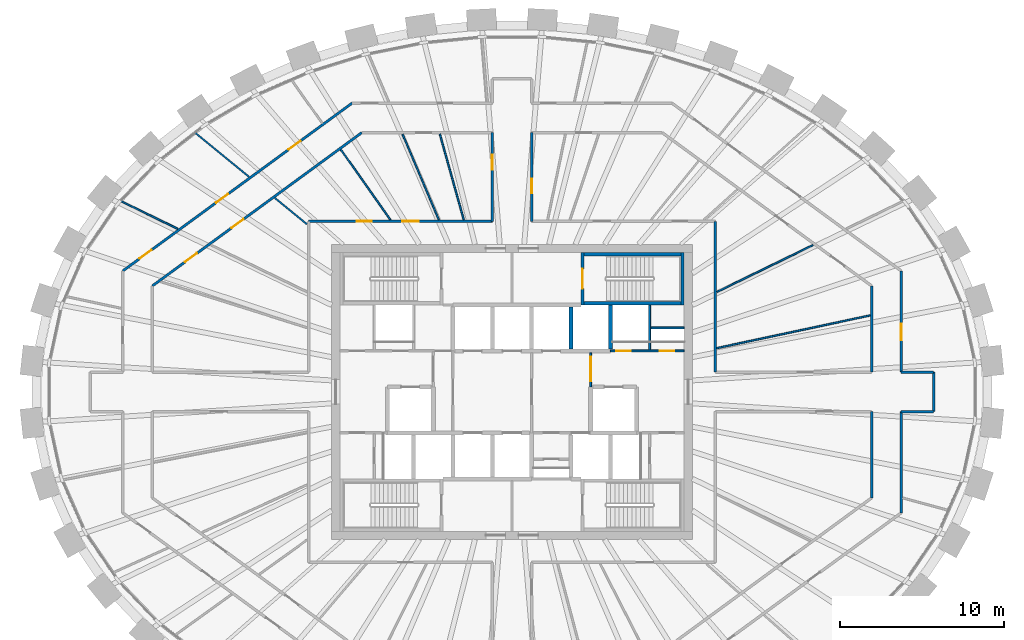
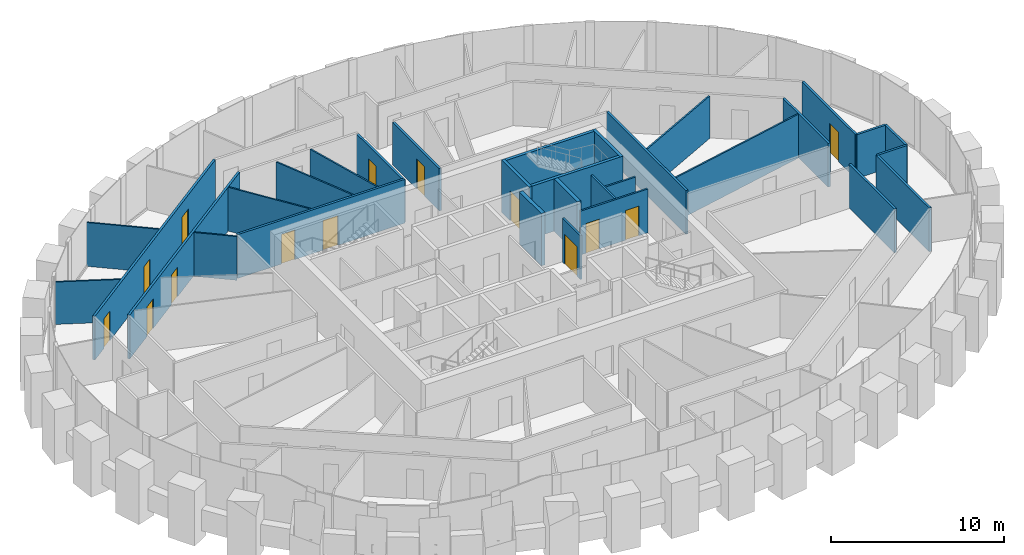
# One storey, part 9 of 11: 31 walls, 14 doors, 14 openings.
"""IFC4 building model written with IfcOpenShell, lengths in metres."""

from ifc_helpers import new_model, si_unit, direction, frame, frame_2d, origin, place, context, subcontext, project, spatial, rectangle, extrude, source, transform, mapped, material, layer, layer_set, type_object, element, fill, save


model = new_model("IFC4")

# Units and contexts
model_context = context("Model", 3, precision=1e-05, world=origin(), true_north=direction((0.0, 1.0)))
body_context = subcontext(model_context, "Body", "Model", "MODEL_VIEW")
ifc_project = project(units=[si_unit("LENGTHUNIT", "METRE"), si_unit("AREAUNIT", "SQUARE_METRE"), si_unit("VOLUMEUNIT", "CUBIC_METRE"), si_unit("PLANEANGLEUNIT", "RADIAN"), si_unit("MASSUNIT", "GRAM", prefix="KILO")], contexts=[model_context])

# Site, building, storey
site_placement = place(None, origin())
site = spatial("IfcSite", under=ifc_project, at=site_placement, CompositionType="ELEMENT")
building_placement = place(site_placement, origin())
building = spatial("IfcBuilding", under=site, at=building_placement, Name="Embergate Tower", CompositionType="ELEMENT")
storey_placement = place(building_placement, frame((0.0, 0.0, 324.699951171875)))
storey = spatial("IfcBuildingStorey", under=building, at=storey_placement, Name="L76", CompositionType="ELEMENT", Elevation=324.699951171875)

# Walls
ifc_material_1 = material(Name="Concrete C50", Category="concrete")
ifc_layer_1 = layer(ifc_material_1, 0.25)
ifc_layer_set_1 = layer_set([ifc_layer_1], Name="Concrete C50")
wall_type_1 = type_object("IfcWallType", Name="Hoistway wall reinforced concrete 250", PredefinedType="SHEAR", material=ifc_layer_set_1)
shared_shape_1 = source(origin(), body_context, "Body", "SweptSolid", [
    extrude(rectangle(XDim=2.675048828125, YDim=0.25, at=frame_2d((1.33740234375, 0.0))), origin(), (0.0, 0.0, 1.0), 3.699951171875),
])
wall_1_placement = place(storey_placement, frame((6.0, 2.625, 0.0), z_axis=(0.0, 0.0, 1.0), x_axis=(0.0, 1.0, 0.0)))
element("IfcWall", 1, at=wall_1_placement, inside=storey, type_object=wall_type_1, Name="HW-1 wall", PredefinedType="SHEAR", context=body_context, shape_type="MappedRepresentation", body=[
    mapped(shared_shape_1, transform((0.0, 0.0, 0.0))),
])
ifc_layer_2 = layer(ifc_material_1, 0.199951171875)
ifc_layer_set_2 = layer_set([ifc_layer_2], Name="Concrete C50")
wall_type_2 = type_object("IfcWallType", Name="Stair enclosure wall reinforced concrete 250", PredefinedType="SHEAR", material=ifc_layer_set_2)
shared_shape_2 = source(origin(), body_context, "Body", "SweptSolid", [
    extrude(rectangle(XDim=6.300048828125, YDim=0.199951171875, at=frame_2d((3.14990234375, 0.0))), origin(), (0.0, 0.0, 1.0), 3.699951171875),
])
wall_2_placement = place(storey_placement, frame((10.5, 5.39990234375, 0.0), z_axis=(0.0, 0.0, 1.0), x_axis=(-1.0, 0.0, 0.0)))
element("IfcWall", 2, at=wall_2_placement, inside=storey, type_object=wall_type_2, Name="SE-1 wall", PredefinedType="SHEAR", context=body_context, shape_type="MappedRepresentation", body=[
    mapped(shared_shape_2, transform((0.0, 0.0, 0.0))),
])
shared_shape_3 = source(origin(), body_context, "Body", "SweptSolid", [
    extrude(rectangle(XDim=2.550048828125, YDim=0.25, at=frame_2d((1.27490234375, 0.0))), origin(), (0.0, 0.0, 1.0), 3.699951171875),
])
wall_3_placement = place(storey_placement, frame((3.60009765625, 2.625, 0.0), z_axis=(0.0, 0.0, 1.0), x_axis=(0.0, 1.0, 0.0)))
element("IfcWall", 3, at=wall_3_placement, inside=storey, type_object=wall_type_1, Name="HW-1 wall", PredefinedType="SHEAR", context=body_context, shape_type="MappedRepresentation", body=[
    mapped(shared_shape_3, transform((0.0, 0.0, 0.0))),
])

# Wall, opening, door
ifc_material_2 = material(Name="Core partition blockwork 120")
ifc_layer_3 = layer(ifc_material_2, 0.1201171875)
ifc_layer_set_3 = layer_set([ifc_layer_3], Name="Core partition blockwork 120")
wall_type_3 = type_object("IfcWallType", Name="Core partition blockwork 120", PredefinedType="PARTITIONING", material=ifc_layer_set_3)
shared_shape_4 = source(origin(), body_context, "Body", "SweptSolid", [
    extrude(rectangle(XDim=2.074951171875, YDim=0.1201171875, at=frame_2d((1.03759765625, 0.0))), origin(), (0.0, 0.0, 1.0), 3.10009765625),
])
wall_4_placement = place(storey_placement, frame((4.800048828125, 0.300048828125, 0.0), z_axis=(0.0, 0.0, 1.0), x_axis=(0.0, 1.0, 0.0)))
wall_4 = element("IfcWall", 4, at=wall_4_placement, inside=storey, type_object=wall_type_3, Name="IP-3 wall", PredefinedType="PARTITIONING", context=body_context, shape_type="MappedRepresentation", body=[
    mapped(shared_shape_4, transform((0.0, 0.0, 0.0))),
])
shared_shape_5 = source(origin(), body_context, "Body", "SweptSolid", [
    extrude(rectangle(XDim=1.5, YDim=2.10009765625, at=frame_2d((0.75, 1.050048828125))), frame((0.0, 0.070068359375, 0.0), z_axis=(0.0, -1.0, 0.0), x_axis=(1.0, 0.0, 0.0)), (0.0, 0.0, 1.0), 0.14013671875),
])
opening_1_placement = place(wall_4_placement, frame((0.35009765625, 0.0, 0.0)))
opening_1 = element("IfcOpeningElement", 5, at=opening_1_placement, cuts=wall_4, Name="Opening IF-3", PredefinedType="OPENING", context=body_context, shape_type="MappedRepresentation", body=[
    mapped(shared_shape_5, transform((0.0, 0.0, 0.0))),
])
ifc_material_3 = material(Name="Lobby fire door pair 1500")
door_type_1 = type_object("IfcDoorType", Name="Lobby fire door pair 1500", OperationType="DOUBLE_DOOR_SINGLE_SWING", PredefinedType="DOOR", material=ifc_material_3)
shared_shape_6 = source(origin(), body_context, "Body", "SweptSolid", [
    extrude(rectangle(XDim=1.5, YDim=2.10009765625, at=frame_2d((0.75, 1.050048828125))), frame((0.0, 0.02490234375, 0.0), z_axis=(0.0, -1.0, 0.0), x_axis=(1.0, 0.0, 0.0)), (0.0, 0.0, 1.0), 0.050048828125),
])
door_1_placement = place(opening_1_placement, origin())
door_1 = element("IfcDoor", 6, at=door_1_placement, inside=storey, type_object=door_type_1, Name="IF-3 door", OperationType="DOUBLE_DOOR_SINGLE_SWING", OverallHeight=2.10009765625, OverallWidth=1.5, PredefinedType="DOOR", context=body_context, shape_type="MappedRepresentation", body=[
    mapped(shared_shape_6, transform((0.0, 0.0, 0.0))),
])
fill(opening_1, door_1)

shared_shape_7 = source(origin(), body_context, "Body", "SweptSolid", [
    extrude(rectangle(XDim=3.199951171875, YDim=0.199951171875, at=frame_2d((1.60009765625, 0.0))), origin(), (0.0, 0.0, 1.0), 3.699951171875),
])
wall_5_placement = place(storey_placement, frame((4.300048828125, 8.5, 0.0), z_axis=(0.0, 0.0, 1.0), x_axis=(0.0, -1.0, 0.0)))
wall_5 = element("IfcWall", 7, at=wall_5_placement, inside=storey, type_object=wall_type_2, Name="SE-1 wall", PredefinedType="SHEAR", context=body_context, shape_type="MappedRepresentation", body=[
    mapped(shared_shape_7, transform((0.0, 0.0, 0.0))),
])
shared_shape_8 = source(origin(), body_context, "Body", "SweptSolid", [
    extrude(rectangle(XDim=1.199951171875, YDim=2.10009765625, at=frame_2d((0.60009765625, 1.050048828125))), frame((0.0, 0.10986328125, 0.0), z_axis=(0.0, -1.0, 0.0), x_axis=(1.0, 0.0, 0.0)), (0.0, 0.0, 1.0), 0.219970703125),
])
opening_2_placement = place(wall_5_placement, frame((1.0, 0.0, 0.0)))
opening_2 = element("IfcOpeningElement", 8, at=opening_2_placement, cuts=wall_5, Name="Opening IF-2", PredefinedType="OPENING", context=body_context, shape_type="MappedRepresentation", body=[
    mapped(shared_shape_8, transform((0.0, 0.0, 0.0))),
])
ifc_material_4 = material(Name="Stair enclosure door 1200")
door_type_2 = type_object("IfcDoorType", Name="Stair enclosure door 1200", OperationType="SINGLE_SWING_LEFT", PredefinedType="DOOR", material=ifc_material_4)
shared_shape_9 = source(origin(), body_context, "Body", "SweptSolid", [
    extrude(rectangle(XDim=1.199951171875, YDim=2.10009765625, at=frame_2d((0.60009765625, 1.050048828125))), frame((0.0, 0.02490234375, 0.0), z_axis=(0.0, -1.0, 0.0), x_axis=(1.0, 0.0, 0.0)), (0.0, 0.0, 1.0), 0.050048828125),
])
door_2_placement = place(opening_2_placement, origin())
door_2 = element("IfcDoor", 9, at=door_2_placement, inside=storey, type_object=door_type_2, Name="IF-2 door", OperationType="SINGLE_SWING_LEFT", OverallHeight=2.10009765625, OverallWidth=1.199951171875, PredefinedType="DOOR", context=body_context, shape_type="MappedRepresentation", body=[
    mapped(shared_shape_9, transform((0.0, 0.0, 0.0))),
])
fill(opening_2, door_2)

# Walls
wall_6_placement = place(storey_placement, frame((10.39990234375, 5.300048828125, 0.0), z_axis=(0.0, 0.0, 1.0), x_axis=(0.0, 1.0, 0.0)))
element("IfcWall", 10, at=wall_6_placement, inside=storey, type_object=wall_type_2, Name="SE-1 wall", PredefinedType="SHEAR", context=body_context, shape_type="MappedRepresentation", body=[
    mapped(shared_shape_7, transform((0.0, 0.0, 0.0))),
])
shared_shape_10 = source(origin(), body_context, "Body", "SweptSolid", [
    extrude(rectangle(XDim=6.298095703125, YDim=0.199951171875, at=frame_2d((3.14892578125, 0.0))), origin(), (0.0, 0.0, 1.0), 3.699951171875),
])
wall_7_placement = place(storey_placement, frame((10.5, 8.39990234375, 0.0), z_axis=(0.0, 0.0, 1.0), x_axis=(-1.0, 0.0, 0.0)))
element("IfcWall", 11, at=wall_7_placement, inside=storey, type_object=wall_type_2, Name="SE-1 wall", PredefinedType="SHEAR", context=body_context, shape_type="MappedRepresentation", body=[
    mapped(shared_shape_10, transform((0.0, 0.0, 0.0))),
])
ifc_material_5 = material(Name="Corridor wall dry-lined 150")
ifc_layer_4 = layer(ifc_material_5, 0.14990234375)
ifc_layer_set_4 = layer_set([ifc_layer_4], Name="Corridor wall dry-lined 150")
wall_type_4 = type_object("IfcWallType", Name="Corridor wall dry-lined 150", PredefinedType="PARTITIONING", material=ifc_layer_set_4)
shared_shape_11 = source(origin(), body_context, "Body", "SweptSolid", [
    extrude(rectangle(XDim=9.199951171875, YDim=0.14990234375, at=frame_2d((4.60009765625, 0.0))), origin(), (0.0, 0.0, 1.0), 3.10009765625),
])
wall_8_placement = place(storey_placement, frame((12.39990234375, 10.39990234375, 0.0), z_axis=(0.0, 0.0, 1.0), x_axis=(0.0, -1.0, 0.0)))
element("IfcWall", 12, at=wall_8_placement, inside=storey, type_object=wall_type_4, Name="IP-2 wall", PredefinedType="PARTITIONING", context=body_context, shape_type="MappedRepresentation", body=[
    mapped(shared_shape_11, transform((0.0, 0.0, 0.0))),
])

# Wall, openings, doors
ifc_material_6 = material(Name="Corridor wall dry-lined 150 wet")
ifc_layer_5 = layer(ifc_material_6, 0.14990234375)
ifc_layer_set_5 = layer_set([ifc_layer_5], Name="Corridor wall dry-lined 150 wet")
wall_type_5 = type_object("IfcWallType", Name="Corridor wall dry-lined 150 wet", PredefinedType="PLUMBINGWALL", material=ifc_layer_set_5)
shared_shape_12 = source(origin(), body_context, "Body", "SweptSolid", [
    extrude(rectangle(XDim=11.199951171875, YDim=0.14990234375, at=frame_2d((5.60009765625, 0.0))), origin(), (0.0, 0.0, 1.0), 3.10009765625),
])
wall_9_placement = place(storey_placement, frame((-12.39990234375, 10.39990234375, 0.0), z_axis=(0.0, 0.0, 1.0), x_axis=(1.0, 0.0, 0.0)))
wall_9 = element("IfcWall", 13, at=wall_9_placement, inside=storey, type_object=wall_type_5, Name="IP-2 wall", PredefinedType="PLUMBINGWALL", context=body_context, shape_type="MappedRepresentation", body=[
    mapped(shared_shape_12, transform((0.0, 0.0, 0.0))),
])
shared_shape_13 = source(origin(), body_context, "Body", "SweptSolid", [
    extrude(rectangle(XDim=1.0, YDim=2.10009765625, at=frame_2d((0.5, 1.050048828125))), frame((0.0, 0.0849609375, 0.0), z_axis=(0.0, -1.0, 0.0), x_axis=(1.0, 0.0, 0.0)), (0.0, 0.0, 1.0), 0.169921875),
])
opening_3_placement = place(wall_9_placement, frame((5.7099609375, 0.0, 0.0)))
opening_3 = element("IfcOpeningElement", 14, at=opening_3_placement, cuts=wall_9, Name="Opening ID-2", PredefinedType="OPENING", context=body_context, shape_type="MappedRepresentation", body=[
    mapped(shared_shape_13, transform((0.0, 0.0, 0.0))),
])
shared_shape_14 = source(origin(), body_context, "Body", "SweptSolid", [
    extrude(rectangle(XDim=0.89990234375, YDim=2.10009765625, at=frame_2d((0.449951171875, 1.050048828125))), frame((0.0, 0.0849609375, 0.0), z_axis=(0.0, -1.0, 0.0), x_axis=(1.0, 0.0, 0.0)), (0.0, 0.0, 1.0), 0.169921875),
])
opening_4_placement = place(wall_9_placement, frame((2.931884765625, 0.0, 0.0)))
opening_4 = element("IfcOpeningElement", 15, at=opening_4_placement, cuts=wall_9, Name="Opening IF-1c", PredefinedType="OPENING", context=body_context, shape_type="MappedRepresentation", body=[
    mapped(shared_shape_14, transform((0.0, 0.0, 0.0))),
])
ifc_material_7 = material(Name="Escape fire door 900")
door_type_3 = type_object("IfcDoorType", Name="Escape fire door 900", OperationType="SINGLE_SWING_LEFT", PredefinedType="DOOR", material=ifc_material_7)
shared_shape_15 = source(origin(), body_context, "Body", "SweptSolid", [
    extrude(rectangle(XDim=0.89990234375, YDim=2.10009765625, at=frame_2d((0.449951171875, 1.050048828125))), frame((0.0, 0.02490234375, 0.0), z_axis=(0.0, -1.0, 0.0), x_axis=(1.0, 0.0, 0.0)), (0.0, 0.0, 1.0), 0.050048828125),
])
door_3_placement = place(opening_4_placement, origin())
door_3 = element("IfcDoor", 16, at=door_3_placement, inside=storey, type_object=door_type_3, Name="IF-1 door", OperationType="SINGLE_SWING_RIGHT", OverallHeight=2.10009765625, OverallWidth=0.89990234375, PredefinedType="DOOR", context=body_context, shape_type="MappedRepresentation", body=[
    mapped(shared_shape_15, transform((0.0, 0.0, 0.0))),
])
fill(opening_4, door_3)
ifc_material_8 = material(Name="Interior door 1000")
door_type_4 = type_object("IfcDoorType", Name="Interior door 1000", OperationType="SINGLE_SWING_LEFT", PredefinedType="DOOR", material=ifc_material_8)
shared_shape_16 = source(origin(), body_context, "Body", "SweptSolid", [
    extrude(rectangle(XDim=1.0, YDim=2.10009765625, at=frame_2d((0.5, 1.050048828125))), frame((0.0, 0.02490234375, 0.0), z_axis=(0.0, -1.0, 0.0), x_axis=(1.0, 0.0, 0.0)), (0.0, 0.0, 1.0), 0.050048828125),
])
door_4_placement = place(opening_3_placement, origin())
door_4 = element("IfcDoor", 17, at=door_4_placement, inside=storey, type_object=door_type_4, Name="ID-2 door", OperationType="SINGLE_SWING_LEFT", OverallHeight=2.10009765625, OverallWidth=1.0, PredefinedType="DOOR", context=body_context, shape_type="MappedRepresentation", body=[
    mapped(shared_shape_16, transform((0.0, 0.0, 0.0))),
])
fill(opening_3, door_4)

# Wall
shared_shape_17 = source(origin(), body_context, "Body", "SweptSolid", [
    extrude(rectangle(XDim=2.39990234375, YDim=0.14990234375, at=frame_2d((1.199951171875, 0.0))), origin(), (0.0, 0.0, 1.0), 3.10009765625),
])
wall_10_placement = place(storey_placement, frame((25.714111328125, 1.199951171875, 0.0), z_axis=(0.0, 0.0, 1.0), x_axis=(0.0, -1.0, 0.0)))
element("IfcWall", 18, at=wall_10_placement, inside=storey, type_object=wall_type_4, Name="IP-2 wall", PredefinedType="PARTITIONING", context=body_context, shape_type="MappedRepresentation", body=[
    mapped(shared_shape_17, transform((0.0, 0.0, 0.0))),
])

# Wall, openings, doors
shared_shape_18 = source(origin(), body_context, "Body", "SweptSolid", [
    extrude(rectangle(XDim=4.5, YDim=0.1201171875, at=frame_2d((2.25, 0.0))), origin(), (0.0, 0.0, 1.0), 3.10009765625),
])
wall_11_placement = place(storey_placement, frame((6.0, 2.5, 0.0), z_axis=(0.0, 0.0, 1.0), x_axis=(1.0, 0.0, 0.0)))
wall_11 = element("IfcWall", 19, at=wall_11_placement, inside=storey, type_object=wall_type_3, Name="IP-3 wall", PredefinedType="PARTITIONING", context=body_context, shape_type="MappedRepresentation", body=[
    mapped(shared_shape_18, transform((0.0, 0.0, 0.0))),
])
shared_shape_19 = source(origin(), body_context, "Body", "SweptSolid", [
    extrude(rectangle(XDim=0.89990234375, YDim=2.10009765625, at=frame_2d((0.449951171875, 1.050048828125))), frame((0.0, 0.070068359375, 0.0), z_axis=(0.0, -1.0, 0.0), x_axis=(1.0, 0.0, 0.0)), (0.0, 0.0, 1.0), 0.14013671875),
])
opening_5_placement = place(wall_11_placement, frame((0.35009765625, 0.0, 0.0)))
opening_5 = element("IfcOpeningElement", 20, at=opening_5_placement, cuts=wall_11, Name="Opening ID-1", PredefinedType="OPENING", context=body_context, shape_type="MappedRepresentation", body=[
    mapped(shared_shape_19, transform((0.0, 0.0, 0.0))),
])
opening_6_placement = place(wall_11_placement, frame((3.0, 0.0, 0.0)))
opening_6 = element("IfcOpeningElement", 21, at=opening_6_placement, cuts=wall_11, Name="Opening ID-1", PredefinedType="OPENING", context=body_context, shape_type="MappedRepresentation", body=[
    mapped(shared_shape_19, transform((0.0, 0.0, 0.0))),
])
ifc_material_9 = material(Name="Interior door 900")
door_type_5 = type_object("IfcDoorType", Name="Interior door 900", OperationType="SINGLE_SWING_LEFT", PredefinedType="DOOR", material=ifc_material_9)
door_5_placement = place(opening_5_placement, origin())
door_5 = element("IfcDoor", 22, at=door_5_placement, inside=storey, type_object=door_type_5, Name="ID-1 door", OperationType="SINGLE_SWING_RIGHT", OverallHeight=2.10009765625, OverallWidth=0.89990234375, PredefinedType="DOOR", context=body_context, shape_type="MappedRepresentation", body=[
    mapped(shared_shape_15, transform((0.0, 0.0, 0.0))),
])
fill(opening_5, door_5)
door_6_placement = place(opening_6_placement, origin())
door_6 = element("IfcDoor", 23, at=door_6_placement, inside=storey, type_object=door_type_5, Name="ID-1 door", OperationType="SINGLE_SWING_LEFT", OverallHeight=2.10009765625, OverallWidth=0.89990234375, PredefinedType="DOOR", context=body_context, shape_type="MappedRepresentation", body=[
    mapped(shared_shape_15, transform((0.0, 0.0, 0.0))),
])
fill(opening_6, door_6)

# Walls
shared_shape_20 = source(origin(), body_context, "Body", "SweptSolid", [
    extrude(rectangle(XDim=2.738037109375, YDim=0.1201171875, at=frame_2d((1.369140625, 0.0))), origin(), (0.0, 0.0, 1.0), 3.10009765625),
])
wall_12_placement = place(storey_placement, frame((8.39990234375, 2.56005859375, 0.0), z_axis=(0.0, 0.0, 1.0), x_axis=(0.0, 1.0, 0.0)))
element("IfcWall", 24, at=wall_12_placement, inside=storey, type_object=wall_type_3, Name="IP-3 wall", PredefinedType="PARTITIONING", context=body_context, shape_type="MappedRepresentation", body=[
    mapped(shared_shape_20, transform((0.0, 0.0, 0.0))),
])
shared_shape_21 = source(origin(), body_context, "Body", "SweptSolid", [
    extrude(rectangle(XDim=2.0380859375, YDim=0.1201171875, at=frame_2d((1.01904296875, 0.0))), origin(), (0.0, 0.0, 1.0), 3.10009765625),
])
wall_13_placement = place(storey_placement, frame((10.5, 3.89990234375, 0.0), z_axis=(0.0, 0.0, 1.0), x_axis=(-1.0, 0.0, 0.0)))
element("IfcWall", 25, at=wall_13_placement, inside=storey, type_object=wall_type_3, Name="IP-3 wall", PredefinedType="PARTITIONING", context=body_context, shape_type="MappedRepresentation", body=[
    mapped(shared_shape_21, transform((0.0, 0.0, 0.0))),
])

# Wall, openings, doors
shared_shape_22 = source(origin(), body_context, "Body", "SweptSolid", [
    extrude(rectangle(XDim=17.3251953125, YDim=0.14990234375, at=frame_2d((8.66259765625, 0.0))), origin(), (0.0, 0.0, 1.0), 3.10009765625),
])
wall_14_placement = place(storey_placement, frame((-9.751953125, 17.611083984375, 0.0), z_axis=(0.0, 0.0, 1.0), x_axis=(-0.806969554432, -0.590593039427, 0.0)))
wall_14 = element("IfcWall", 26, at=wall_14_placement, inside=storey, type_object=wall_type_4, Name="IP-2 wall", PredefinedType="PARTITIONING", context=body_context, shape_type="MappedRepresentation", body=[
    mapped(shared_shape_22, transform((0.0, 0.0, 0.0))),
])
opening_7_placement = place(wall_14_placement, frame((3.8984375, 0.0, 0.0)))
opening_7 = element("IfcOpeningElement", 27, at=opening_7_placement, cuts=wall_14, Name="Opening IF-1c", PredefinedType="OPENING", context=body_context, shape_type="MappedRepresentation", body=[
    mapped(shared_shape_14, transform((0.0, 0.0, 0.0))),
])
opening_8_placement = place(wall_14_placement, frame((9.39306640625, 0.0, 0.0)))
opening_8 = element("IfcOpeningElement", 28, at=opening_8_placement, cuts=wall_14, Name="Opening IF-1c", PredefinedType="OPENING", context=body_context, shape_type="MappedRepresentation", body=[
    mapped(shared_shape_14, transform((0.0, 0.0, 0.0))),
])
opening_9_placement = place(wall_14_placement, frame((15.1572265625, 0.0, 0.0)))
opening_9 = element("IfcOpeningElement", 29, at=opening_9_placement, cuts=wall_14, Name="Opening IF-1c", PredefinedType="OPENING", context=body_context, shape_type="MappedRepresentation", body=[
    mapped(shared_shape_14, transform((0.0, 0.0, 0.0))),
])
door_7_placement = place(opening_7_placement, origin())
door_7 = element("IfcDoor", 30, at=door_7_placement, inside=storey, type_object=door_type_3, Name="IF-1 door", OperationType="SINGLE_SWING_LEFT", OverallHeight=2.10009765625, OverallWidth=0.89990234375, PredefinedType="DOOR", context=body_context, shape_type="MappedRepresentation", body=[
    mapped(shared_shape_15, transform((0.0, 0.0, 0.0))),
])
fill(opening_7, door_7)
door_8_placement = place(opening_8_placement, origin())
door_8 = element("IfcDoor", 31, at=door_8_placement, inside=storey, type_object=door_type_3, Name="IF-1 door", OperationType="SINGLE_SWING_LEFT", OverallHeight=2.10009765625, OverallWidth=0.89990234375, PredefinedType="DOOR", context=body_context, shape_type="MappedRepresentation", body=[
    mapped(shared_shape_15, transform((0.0, 0.0, 0.0))),
])
fill(opening_8, door_8)
door_9_placement = place(opening_9_placement, origin())
door_9 = element("IfcDoor", 32, at=door_9_placement, inside=storey, type_object=door_type_3, Name="IF-1 door", OperationType="SINGLE_SWING_LEFT", OverallHeight=2.10009765625, OverallWidth=0.89990234375, PredefinedType="DOOR", context=body_context, shape_type="MappedRepresentation", body=[
    mapped(shared_shape_15, transform((0.0, 0.0, 0.0))),
])
fill(opening_9, door_9)

# Wall
shared_shape_23 = source(origin(), body_context, "Body", "SweptSolid", [
    extrude(rectangle(XDim=6.178955078125, YDim=0.14990234375, at=frame_2d((3.08935546875, 0.0))), origin(), (0.0, 0.0, 1.0), 3.10009765625),
])
wall_15_placement = place(storey_placement, frame((23.73291015625, -7.37890625, 0.0), z_axis=(0.0, 0.0, 1.0), x_axis=(0.0, 1.0, 0.0)))
element("IfcWall", 33, at=wall_15_placement, inside=storey, type_object=wall_type_4, Name="IP-2 wall", PredefinedType="PARTITIONING", context=body_context, shape_type="MappedRepresentation", body=[
    mapped(shared_shape_23, transform((0.0, 0.0, 0.0))),
])

# Wall, opening, door
wall_16_placement = place(storey_placement, frame((23.73291015625, 7.37890625, 0.0), z_axis=(0.0, 0.0, 1.0), x_axis=(0.0, -1.0, 0.0)))
wall_16 = element("IfcWall", 34, at=wall_16_placement, inside=storey, type_object=wall_type_4, Name="IP-2 wall", PredefinedType="PARTITIONING", context=body_context, shape_type="MappedRepresentation", body=[
    mapped(shared_shape_23, transform((0.0, 0.0, 0.0))),
])
opening_10_placement = place(wall_16_placement, frame((3.230712890625, 0.0, 0.0)))
opening_10 = element("IfcOpeningElement", 35, at=opening_10_placement, cuts=wall_16, Name="Opening ID-2", PredefinedType="OPENING", context=body_context, shape_type="MappedRepresentation", body=[
    mapped(shared_shape_13, transform((0.0, 0.0, 0.0))),
])
door_10_placement = place(opening_10_placement, origin())
door_10 = element("IfcDoor", 36, at=door_10_placement, inside=storey, type_object=door_type_4, Name="ID-2 door", OperationType="SINGLE_SWING_LEFT", OverallHeight=2.10009765625, OverallWidth=1.0, PredefinedType="DOOR", context=body_context, shape_type="MappedRepresentation", body=[
    mapped(shared_shape_16, transform((0.0, 0.0, 0.0))),
])
fill(opening_10, door_10)

# Walls
shared_shape_24 = source(origin(), body_context, "Body", "SweptSolid", [
    extrude(rectangle(XDim=5.26513671875, YDim=0.14990234375, at=frame_2d((2.632568359375, 0.0))), origin(), (0.0, 0.0, 1.0), 3.10009765625),
])
for number, where, z_axis, x_axis, name in (
    (37, (21.93310546875, -6.465087890625, 0.0), (0.0, 0.0, 1.0), (0.0, 1.0, 0.0), "IP-2 wall"),
    (38, (21.93310546875, 1.199951171875, 0.0), (0.0, 0.0, 1.0), (0.0, 1.0, 0.0), "IP-2 wall"),
):
    element("IfcWall", number, at=place(storey_placement, frame(where, z_axis=z_axis, x_axis=x_axis)), inside=storey, type_object=wall_type_4, Name=name, PredefinedType="PARTITIONING", context=body_context, shape_type="MappedRepresentation", body=[
        mapped(shared_shape_24, transform((0.0, 0.0, 0.0))),
    ])

# Wall, openings, doors
shared_shape_25 = source(origin(), body_context, "Body", "SweptSolid", [
    extrude(rectangle(XDim=15.82470703125, YDim=0.14990234375, at=frame_2d((7.912353515625, 0.0))), origin(), (0.0, 0.0, 1.0), 3.10009765625),
])
wall_17_placement = place(storey_placement, frame((-21.93310546875, 6.465087890625, 0.0), z_axis=(0.0, 0.0, 1.0), x_axis=(0.80696917181, 0.590593562231, 0.0)))
wall_17 = element("IfcWall", 39, at=wall_17_placement, inside=storey, type_object=wall_type_4, Name="IP-2 wall", PredefinedType="PARTITIONING", context=body_context, shape_type="MappedRepresentation", body=[
    mapped(shared_shape_25, transform((0.0, 0.0, 0.0))),
])
opening_11_placement = place(wall_17_placement, frame((5.983642578125, 0.0, 0.0)))
opening_11 = element("IfcOpeningElement", 40, at=opening_11_placement, cuts=wall_17, Name="Opening IF-1c", PredefinedType="OPENING", context=body_context, shape_type="MappedRepresentation", body=[
    mapped(shared_shape_14, transform((0.0, 0.0, 0.0))),
])
opening_12_placement = place(wall_17_placement, frame((2.4794921875, 0.0, 0.0)))
opening_12 = element("IfcOpeningElement", 41, at=opening_12_placement, cuts=wall_17, Name="Opening IF-1c", PredefinedType="OPENING", context=body_context, shape_type="MappedRepresentation", body=[
    mapped(shared_shape_14, transform((0.0, 0.0, 0.0))),
])
door_11_placement = place(opening_11_placement, origin())
door_11 = element("IfcDoor", 42, at=door_11_placement, inside=storey, type_object=door_type_3, Name="IF-1 door", OperationType="SINGLE_SWING_RIGHT", OverallHeight=2.10009765625, OverallWidth=0.89990234375, PredefinedType="DOOR", context=body_context, shape_type="MappedRepresentation", body=[
    mapped(shared_shape_15, transform((0.0, 0.0, 0.0))),
])
fill(opening_11, door_11)
door_12_placement = place(opening_12_placement, origin())
door_12 = element("IfcDoor", 43, at=door_12_placement, inside=storey, type_object=door_type_3, Name="IF-1 door", OperationType="SINGLE_SWING_LEFT", OverallHeight=2.10009765625, OverallWidth=0.89990234375, PredefinedType="DOOR", context=body_context, shape_type="MappedRepresentation", body=[
    mapped(shared_shape_15, transform((0.0, 0.0, 0.0))),
])
fill(opening_12, door_12)

# Wall, opening, door
shared_shape_26 = source(origin(), body_context, "Body", "SweptSolid", [
    extrude(rectangle(XDim=5.4111328125, YDim=0.14990234375, at=frame_2d((2.70556640625, 0.0))), origin(), (0.0, 0.0, 1.0), 3.0),
])
wall_18_placement = place(storey_placement, frame((1.199951171875, 15.81103515625, 0.0), z_axis=(0.0, 0.0, 1.0), x_axis=(0.0, -1.0, 0.0)))
wall_18 = element("IfcWall", 44, at=wall_18_placement, inside=storey, type_object=wall_type_5, Name="IP-2 wall", PredefinedType="PLUMBINGWALL", context=body_context, shape_type="MappedRepresentation", body=[
    mapped(shared_shape_26, transform((0.0, 0.0, 0.0))),
])
opening_13_placement = place(wall_18_placement, frame((2.802978515625, 0.0, 0.0)))
opening_13 = element("IfcOpeningElement", 45, at=opening_13_placement, cuts=wall_18, Name="Opening IF-1c", PredefinedType="OPENING", context=body_context, shape_type="MappedRepresentation", body=[
    mapped(shared_shape_14, transform((0.0, 0.0, 0.0))),
])
door_13_placement = place(opening_13_placement, origin())
door_13 = element("IfcDoor", 46, at=door_13_placement, inside=storey, type_object=door_type_3, Name="IF-1 door", OperationType="SINGLE_SWING_RIGHT", OverallHeight=2.10009765625, OverallWidth=0.89990234375, PredefinedType="DOOR", context=body_context, shape_type="MappedRepresentation", body=[
    mapped(shared_shape_15, transform((0.0, 0.0, 0.0))),
])
fill(opening_13, door_13)

wall_19_placement = place(storey_placement, frame((-1.199951171875, 10.39990234375, 0.0), z_axis=(0.0, 0.0, 1.0), x_axis=(0.0, 1.0, 0.0)))
wall_19 = element("IfcWall", 47, at=wall_19_placement, inside=storey, type_object=wall_type_5, Name="IP-2 wall", PredefinedType="PLUMBINGWALL", context=body_context, shape_type="MappedRepresentation", body=[
    mapped(shared_shape_26, transform((0.0, 0.0, 0.0))),
])
opening_14_placement = place(wall_19_placement, frame((3.155029296875, 0.0, 0.0)))
opening_14 = element("IfcOpeningElement", 48, at=opening_14_placement, cuts=wall_19, Name="Opening IF-1c", PredefinedType="OPENING", context=body_context, shape_type="MappedRepresentation", body=[
    mapped(shared_shape_14, transform((0.0, 0.0, 0.0))),
])
door_14_placement = place(opening_14_placement, origin())
door_14 = element("IfcDoor", 49, at=door_14_placement, inside=storey, type_object=door_type_3, Name="IF-1 door", OperationType="SINGLE_SWING_RIGHT", OverallHeight=2.10009765625, OverallWidth=0.89990234375, PredefinedType="DOOR", context=body_context, shape_type="MappedRepresentation", body=[
    mapped(shared_shape_15, transform((0.0, 0.0, 0.0))),
])
fill(opening_14, door_14)

# Walls
shared_shape_27 = source(origin(), body_context, "Body", "SweptSolid", [
    extrude(rectangle(XDim=1.981201171875, YDim=0.14990234375, at=frame_2d((0.99072265625, 0.0))), origin(), (0.0, 0.0, 1.0), 3.10009765625),
])
for number, where, z_axis, x_axis, name in (
    (50, (23.73291015625, 1.199951171875, 0.0), (0.0, 0.0, 1.0), (1.0, 0.0, 0.0), "IP-2 wall"),
    (51, (25.714111328125, -1.199951171875, 0.0), (0.0, 0.0, 1.0), (-1.0, 0.0, 0.0), "IP-2 wall"),
):
    element("IfcWall", number, at=place(storey_placement, frame(where, z_axis=z_axis, x_axis=x_axis)), inside=storey, type_object=wall_type_4, Name=name, PredefinedType="PARTITIONING", context=body_context, shape_type="MappedRepresentation", body=[
        mapped(shared_shape_27, transform((0.0, 0.0, 0.0))),
    ])
ifc_material_10 = material(Name="Partition dry-lined 100")
ifc_layer_6 = layer(ifc_material_10, 0.10009765625)
ifc_layer_set_6 = layer_set([ifc_layer_6], Name="Partition dry-lined 100")
wall_type_6 = type_object("IfcWallType", Name="Partition dry-lined 100", PredefinedType="PARTITIONING", material=ifc_layer_set_6)
shared_shape_28 = source(origin(), body_context, "Body", "SweptSolid", [
    extrude(rectangle(XDim=3.877685546875, YDim=0.10009765625, at=frame_2d((1.93896484375, 0.0))), origin(), (0.0, 0.0, 1.0), 3.0),
])
wall_20_placement = place(storey_placement, frame((-20.389892578125, 9.947021484375, 0.0), z_axis=(0.0, 0.0, 1.0), x_axis=(-0.898778732273, 0.438402543805, 0.0)))
element("IfcWall", 52, at=wall_20_placement, inside=storey, type_object=wall_type_6, Name="IP-1 wall", PredefinedType="PARTITIONING", context=body_context, shape_type="MappedRepresentation", body=[
    mapped(shared_shape_28, transform((0.0, 0.0, 0.0))),
])
shared_shape_29 = source(origin(), body_context, "Body", "SweptSolid", [
    extrude(rectangle(XDim=9.572998046875, YDim=0.10009765625, at=frame_2d((4.78662109375, 0.0))), origin(), (0.0, 0.0, 1.0), 3.10009765625),
])
wall_21_placement = place(storey_placement, frame((12.485107421875, 2.6669921875, 0.0), z_axis=(0.0, 0.0, 1.0), x_axis=(0.977932848494, 0.208919467346, 0.0)))
element("IfcWall", 53, at=wall_21_placement, inside=storey, type_object=wall_type_6, Name="IP-1 wall", PredefinedType="PARTITIONING", context=body_context, shape_type="MappedRepresentation", body=[
    mapped(shared_shape_29, transform((0.0, 0.0, 0.0))),
])
shared_shape_30 = source(origin(), body_context, "Body", "SweptSolid", [
    extrude(rectangle(XDim=6.525634765625, YDim=0.10009765625, at=frame_2d((3.2626953125, 0.0))), origin(), (0.0, 0.0, 1.0), 3.0),
])
wall_22_placement = place(storey_placement, frame((12.4970703125, 6.095947265625, 0.0), z_axis=(0.0, 0.0, 1.0), x_axis=(0.898761613835, 0.438437636953, 0.0)))
element("IfcWall", 54, at=wall_22_placement, inside=storey, type_object=wall_type_6, Name="IP-1 wall", PredefinedType="PARTITIONING", context=body_context, shape_type="MappedRepresentation", body=[
    mapped(shared_shape_30, transform((0.0, 0.0, 0.0))),
])
ifc_material_11 = material(Name="Partition dry-lined 100 wet")
ifc_layer_7 = layer(ifc_material_11, 0.10009765625)
ifc_layer_set_7 = layer_set([ifc_layer_7], Name="Partition dry-lined 100 wet")
wall_type_7 = type_object("IfcWallType", Name="Partition dry-lined 100 wet", PredefinedType="PLUMBINGWALL", material=ifc_layer_set_7)
shared_shape_31 = source(origin(), body_context, "Body", "SweptSolid", [
    extrude(rectangle(XDim=5.43505859375, YDim=0.10009765625, at=frame_2d((2.717529296875, 0.0))), origin(), (0.0, 0.0, 1.0), 3.10009765625),
])
wall_23_placement = place(storey_placement, frame((-2.93701171875, 10.489013671875, 0.0), z_axis=(0.0, 0.0, 1.0), x_axis=(-0.269561612623, 0.962983144712, 0.0)))
element("IfcWall", 55, at=wall_23_placement, inside=storey, type_object=wall_type_7, Name="IP-1 wall", PredefinedType="PLUMBINGWALL", context=body_context, shape_type="MappedRepresentation", body=[
    mapped(shared_shape_31, transform((0.0, 0.0, 0.0))),
])
shared_shape_32 = source(origin(), body_context, "Body", "SweptSolid", [
    extrude(rectangle(XDim=5.673828125, YDim=0.10009765625, at=frame_2d((2.8369140625, 0.0))), origin(), (0.0, 0.0, 1.0), 3.0),
])
wall_24_placement = place(storey_placement, frame((-6.676025390625, 15.717041015625, 0.0), z_axis=(0.0, 0.0, 1.0), x_axis=(0.391092348704, -0.92035144091, 0.0)))
element("IfcWall", 56, at=wall_24_placement, inside=storey, type_object=wall_type_7, Name="IP-1 wall", PredefinedType="PLUMBINGWALL", context=body_context, shape_type="MappedRepresentation", body=[
    mapped(shared_shape_32, transform((0.0, 0.0, 0.0))),
])
shared_shape_33 = source(origin(), body_context, "Body", "SweptSolid", [
    extrude(rectangle(XDim=4.273193359375, YDim=0.10009765625, at=frame_2d((2.13671875, 0.0))), origin(), (0.0, 0.0, 1.0), 3.10009765625),
])
wall_25_placement = place(storey_placement, frame((-16.0400390625, 13.117919921875, 0.0), z_axis=(0.0, 0.0, 1.0), x_axis=(-0.774112556764, 0.633047983537, 0.0)))
element("IfcWall", 57, at=wall_25_placement, inside=storey, type_object=wall_type_6, Name="IP-1 wall", PredefinedType="PARTITIONING", context=body_context, shape_type="MappedRepresentation", body=[
    mapped(shared_shape_33, transform((0.0, 0.0, 0.0))),
])
shared_shape_34 = source(origin(), body_context, "Body", "SweptSolid", [
    extrude(rectangle(XDim=5.23779296875, YDim=0.10009765625, at=frame_2d((2.618896484375, 0.0))), origin(), (0.0, 0.0, 1.0), 3.10009765625),
])
wall_26_placement = place(storey_placement, frame((-7.419921875, 10.50390625, 0.0), z_axis=(0.0, 0.0, 1.0), x_axis=(-0.576957667199, 0.816774050923, 0.0)))
element("IfcWall", 58, at=wall_26_placement, inside=storey, type_object=wall_type_6, Name="IP-1 wall", PredefinedType="PARTITIONING", context=body_context, shape_type="MappedRepresentation", body=[
    mapped(shared_shape_34, transform((0.0, 0.0, 0.0))),
])
shared_shape_35 = source(origin(), body_context, "Body", "SweptSolid", [
    extrude(rectangle(XDim=2.523193359375, YDim=0.10009765625, at=frame_2d((1.26171875, 0.0))), origin(), (0.0, 0.0, 1.0), 3.10009765625),
])
wall_27_placement = place(storey_placement, frame((-12.507080078125, 10.22802734375, 0.0), z_axis=(0.0, 0.0, 1.0), x_axis=(-0.773940055522, 0.633258865282, 0.0)))
element("IfcWall", 59, at=wall_27_placement, inside=storey, type_object=wall_type_6, Name="IP-1 wall", PredefinedType="PARTITIONING", context=body_context, shape_type="MappedRepresentation", body=[
    mapped(shared_shape_35, transform((0.0, 0.0, 0.0))),
])

save(model, "model.ifc")
